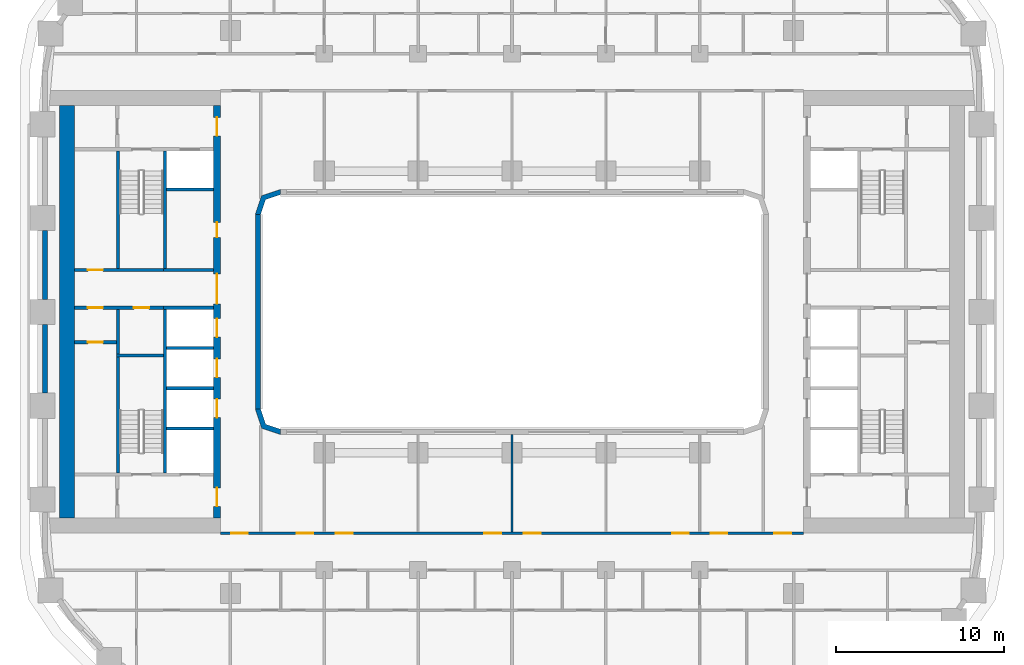
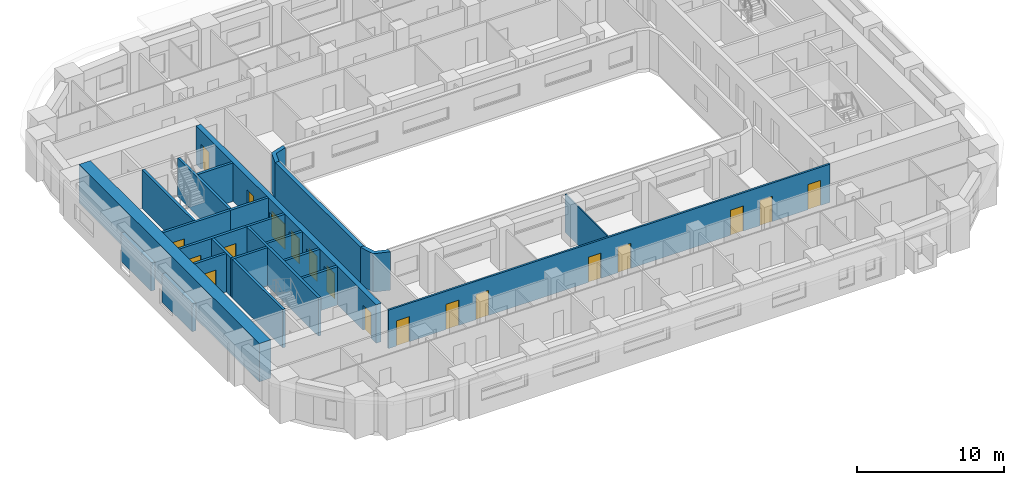
# One storey, part 4 of 21: 24 walls, 19 doors, 19 openings.
"""IFC4 building model written with IfcOpenShell, lengths in metres."""

from ifc_helpers import new_model, si_unit, direction, frame, frame_2d, origin, place, context, subcontext, project, spatial, polyline, rectangle, outline, extrude, material, layer, layer_set, type_object, element, fill, save


model = new_model("IFC4")

# Units and contexts
model_context = context("Model", 3, precision=1e-05, world=origin(), true_north=direction((0.0, 1.0)))
body_context = subcontext(model_context, "Body", "Model", "MODEL_VIEW")
ifc_project = project(units=[si_unit("LENGTHUNIT", "METRE"), si_unit("AREAUNIT", "SQUARE_METRE"), si_unit("VOLUMEUNIT", "CUBIC_METRE"), si_unit("PLANEANGLEUNIT", "RADIAN"), si_unit("MASSUNIT", "GRAM", prefix="KILO")], contexts=[model_context])

# Site, building, storey
site_placement = place(None, origin())
site = spatial("IfcSite", under=ifc_project, at=site_placement, CompositionType="ELEMENT")
building_placement = place(site_placement, origin())
building = spatial("IfcBuilding", under=site, at=building_placement, Name="Kiln Ring Residences", CompositionType="ELEMENT")
storey_placement = place(building_placement, frame((0.0, 0.0, 34.0)))
storey = spatial("IfcBuildingStorey", under=building, at=storey_placement, Name="L07", CompositionType="ELEMENT", Elevation=34.0)

# Wall
ifc_material_1 = material(Name="Gypsum board on steel studs", Category="steel")
ifc_layer_1 = layer(ifc_material_1, 0.199951171875)
ifc_layer_set_1 = layer_set([ifc_layer_1], Name="CORE-PARTITION-200")
wall_type_1 = type_object("IfcWallType", Name="CORE-PARTITION-200", PredefinedType="PARTITIONING", material=ifc_layer_set_1)
wall_1_placement = place(storey_placement, frame((-23.5, -2.5, 0.0), z_axis=(0.0, 0.0, 1.0), x_axis=(0.0, 1.0, 0.0)))
element("IfcWall", 1, at=wall_1_placement, inside=storey, type_object=wall_type_1, Name="Core partition west L07 1", PredefinedType="PARTITIONING", context=body_context, shape_type="SweptSolid", body=[
    extrude(rectangle(XDim=2.64990234375, YDim=0.199951171875, at=frame_2d((1.324951171875, 0.0))), origin(), (0.0, 0.0, 1.0), 3.199951171875),
])

# Wall, openings, doors
wall_2_placement = place(storey_placement, frame((-20.800048828125, 0.25, 0.0), z_axis=(0.0, 0.0, 1.0), x_axis=(-1.0, 0.0, 0.0)))
wall_2 = element("IfcWall", 2, at=wall_2_placement, inside=storey, type_object=wall_type_1, Name="Core partition west L07 2", PredefinedType="PARTITIONING", context=body_context, shape_type="SweptSolid", body=[
    extrude(rectangle(XDim=5.300048828125, YDim=0.199951171875, at=frame_2d((2.64990234375, 0.0))), origin(), (0.0, 0.0, 1.0), 3.199951171875),
])
opening_1_placement = place(wall_2_placement, frame((0.85009765625, 0.0, 0.0)))
opening_1 = element("IfcOpeningElement", 3, at=opening_1_placement, cuts=wall_2, Name="Opening L07-CW14", PredefinedType="OPENING", context=body_context, shape_type="SweptSolid", body=[
    extrude(rectangle(XDim=0.89990234375, YDim=2.10009765625, at=frame_2d((0.449951171875, 1.050048828125))), frame((0.0, 0.10986328125, 0.0), z_axis=(0.0, -1.0, 0.0), x_axis=(1.0, 0.0, 0.0)), (0.0, 0.0, 1.0), 0.219970703125),
])
opening_2_placement = place(wall_2_placement, frame((3.60009765625, 0.0, 0.0)))
opening_2 = element("IfcOpeningElement", 4, at=opening_2_placement, cuts=wall_2, Name="Opening L07-CW16", PredefinedType="OPENING", context=body_context, shape_type="SweptSolid", body=[
    extrude(rectangle(XDim=0.89990234375, YDim=2.10009765625, at=frame_2d((0.449951171875, 1.050048828125))), frame((0.0, 0.10986328125, 0.0), z_axis=(0.0, -1.0, 0.0), x_axis=(1.0, 0.0, 0.0)), (0.0, 0.0, 1.0), 0.219970703125),
])
ifc_material_2 = material(Name="Steel door leaf", Category="steel")
door_type_1 = type_object("IfcDoorType", Name="CORE-DOOR-ROOM", OperationType="SINGLE_SWING_LEFT", PredefinedType="DOOR", material=ifc_material_2)
door_1_placement = place(opening_1_placement, origin())
door_1 = element("IfcDoor", 5, at=door_1_placement, inside=storey, type_object=door_type_1, Name="Linen store L07-CW14", OperationType="SINGLE_SWING_RIGHT", OverallHeight=2.10009765625, OverallWidth=0.89990234375, PredefinedType="DOOR", context=body_context, shape_type="SweptSolid", body=[
    extrude(rectangle(XDim=0.89990234375, YDim=2.10009765625, at=frame_2d((0.449951171875, 1.050048828125))), frame((0.0, 0.02490234375, 0.0), z_axis=(0.0, -1.0, 0.0), x_axis=(1.0, 0.0, 0.0)), (0.0, 0.0, 1.0), 0.050048828125),
])
fill(opening_1, door_1)
door_2_placement = place(opening_2_placement, origin())
door_2 = element("IfcDoor", 6, at=door_2_placement, inside=storey, type_object=door_type_1, Name="Pump and valve room L07-CW16", OperationType="SINGLE_SWING_RIGHT", OverallHeight=2.10009765625, OverallWidth=0.89990234375, PredefinedType="DOOR", context=body_context, shape_type="SweptSolid", body=[
    extrude(rectangle(XDim=0.89990234375, YDim=2.10009765625, at=frame_2d((0.449951171875, 1.050048828125))), frame((0.0, 0.02490234375, 0.0), z_axis=(0.0, -1.0, 0.0), x_axis=(1.0, 0.0, 0.0)), (0.0, 0.0, 1.0), 0.050048828125),
])
fill(opening_2, door_2)

# Wall, opening, door
wall_3_placement = place(storey_placement, frame((-23.60009765625, -1.800048828125, 0.0), z_axis=(0.0, 0.0, 1.0), x_axis=(-1.0, 0.0, 0.0)))
wall_3 = element("IfcWall", 7, at=wall_3_placement, inside=storey, type_object=wall_type_1, Name="Core partition west L07 5", PredefinedType="PARTITIONING", context=body_context, shape_type="SweptSolid", body=[
    extrude(rectangle(XDim=2.5, YDim=0.199951171875, at=frame_2d((1.25, 0.0))), origin(), (0.0, 0.0, 1.0), 3.199951171875),
])
opening_3_placement = place(wall_3_placement, frame((0.800048828125, 0.0, 0.0)))
opening_3 = element("IfcOpeningElement", 8, at=opening_3_placement, cuts=wall_3, Name="Opening L07-CW15", PredefinedType="OPENING", context=body_context, shape_type="SweptSolid", body=[
    extrude(rectangle(XDim=0.89990234375, YDim=2.10009765625, at=frame_2d((0.449951171875, 1.050048828125))), frame((0.0, 0.10986328125, 0.0), z_axis=(0.0, -1.0, 0.0), x_axis=(1.0, 0.0, 0.0)), (0.0, 0.0, 1.0), 0.219970703125),
])
door_3_placement = place(opening_3_placement, origin())
door_3 = element("IfcDoor", 9, at=door_3_placement, inside=storey, type_object=door_type_1, Name="Pump and valve room L07-CW15", OperationType="SINGLE_SWING_RIGHT", OverallHeight=2.10009765625, OverallWidth=0.89990234375, PredefinedType="DOOR", context=body_context, shape_type="SweptSolid", body=[
    extrude(rectangle(XDim=0.89990234375, YDim=2.10009765625, at=frame_2d((0.449951171875, 1.050048828125))), frame((0.0, 0.02490234375, 0.0), z_axis=(0.0, -1.0, 0.0), x_axis=(1.0, 0.0, 0.0)), (0.0, 0.0, 1.0), 0.050048828125),
])
fill(opening_3, door_3)

# Walls
ifc_material_3 = material(Name="Gypsum shaft wall system")
ifc_layer_2 = layer(ifc_material_3, 0.199951171875)
ifc_layer_set_2 = layer_set([ifc_layer_2], Name="CORE-SHAFT-WALL-200")
wall_type_2 = type_object("IfcWallType", Name="CORE-SHAFT-WALL-200", PredefinedType="PARTITIONING", material=ifc_layer_set_2)
for number, where, z_axis, x_axis, name in (
    (10, (-17.800048828125, -6.949951171875, 0.0), (0.0, 0.0, 1.0), (-1.0, 0.0, 0.0), "Core partition west L07 6"),
    (11, (-17.800048828125, -4.550048828125, 0.0), (0.0, 0.0, 1.0), (-1.0, 0.0, 0.0), "Core partition west L07 7"),
    (12, (-17.800048828125, -2.14990234375, 0.0), (0.0, 0.0, 1.0), (-1.0, 0.0, 0.0), "Core partition west L07 8"),
):
    element("IfcWall", number, at=place(storey_placement, frame(where, z_axis=z_axis, x_axis=x_axis)), inside=storey, type_object=wall_type_2, Name=name, PredefinedType="PARTITIONING", context=body_context, shape_type="SweptSolid", body=[
        extrude(rectangle(XDim=2.800048828125, YDim=0.199951171875, at=frame_2d((1.39990234375, 0.0))), origin(), (0.0, 0.0, 1.0), 3.199951171875),
    ])
for number, where, z_axis, x_axis, name in (
    (13, (-17.800048828125, 0.25, 0.0), (0.0, 0.0, 1.0), (-1.0, 0.0, 0.0), "Core partition west L07 9"),
    (14, (-17.800048828125, 2.5, 0.0), (0.0, 0.0, 1.0), (-1.0, 0.0, 0.0), "Core partition west L07 10"),
):
    element("IfcWall", number, at=place(storey_placement, frame(where, z_axis=z_axis, x_axis=x_axis)), inside=storey, type_object=wall_type_2, Name=name, PredefinedType="PARTITIONING", context=body_context, shape_type="SweptSolid", body=[
        extrude(rectangle(XDim=3.0, YDim=0.199951171875, at=frame_2d((1.5, 0.0))), origin(), (0.0, 0.0, 1.0), 3.199951171875),
    ])
wall_4_placement = place(storey_placement, frame((-17.800048828125, 7.300048828125, 0.0), z_axis=(0.0, 0.0, 1.0), x_axis=(-1.0, 0.0, 0.0)))
element("IfcWall", 15, at=wall_4_placement, inside=storey, type_object=wall_type_2, Name="Core partition west L07 11", PredefinedType="PARTITIONING", context=body_context, shape_type="SweptSolid", body=[
    extrude(rectangle(XDim=2.800048828125, YDim=0.199951171875, at=frame_2d((1.39990234375, 0.0))), origin(), (0.0, 0.0, 1.0), 3.199951171875),
])
ifc_material_4 = material(Name="Concrete C40/50", Category="concrete")
ifc_layer_3 = layer(ifc_material_4, 0.199951171875)
ifc_layer_set_3 = layer_set([ifc_layer_3], Name="CORE-WALL-RC200")
wall_type_3 = type_object("IfcWallType", Name="CORE-WALL-RC200", PredefinedType="SHEAR", material=ifc_layer_set_3)
wall_5_placement = place(storey_placement, frame((-20.699951171875, 2.60009765625, 0.0), z_axis=(0.0, 0.0, 1.0), x_axis=(0.0, 1.0, 0.0)))
element("IfcWall", 16, at=wall_5_placement, inside=storey, type_object=wall_type_3, Name="Core wall west L07 1", PredefinedType="SHEAR", context=body_context, shape_type="SweptSolid", body=[
    extrude(rectangle(XDim=7.0, YDim=0.199951171875, at=frame_2d((3.5, 0.0))), origin(), (0.0, 0.0, 1.0), 3.199951171875),
])
wall_6_placement = place(storey_placement, frame((-20.699951171875, -9.60009765625, 0.0), z_axis=(0.0, 0.0, 1.0), x_axis=(0.0, 1.0, 0.0)))
element("IfcWall", 17, at=wall_6_placement, inside=storey, type_object=wall_type_3, Name="Core wall west L07 2", PredefinedType="SHEAR", context=body_context, shape_type="SweptSolid", body=[
    extrude(rectangle(XDim=9.75, YDim=0.199951171875, at=frame_2d((4.875, 0.0))), origin(), (0.0, 0.0, 1.0), 3.199951171875),
])

# Wall, opening, door
wall_7_placement = place(storey_placement, frame((-20.800048828125, 2.5, 0.0), z_axis=(0.0, 0.0, 1.0), x_axis=(-1.0, 0.0, 0.0)))
wall_7 = element("IfcWall", 18, at=wall_7_placement, inside=storey, type_object=wall_type_3, Name="Core wall west L07 3", PredefinedType="SHEAR", context=body_context, shape_type="SweptSolid", body=[
    extrude(rectangle(XDim=5.300048828125, YDim=0.199951171875, at=frame_2d((2.64990234375, 0.0))), origin(), (0.0, 0.0, 1.0), 3.199951171875),
])
opening_4_placement = place(wall_7_placement, frame((3.60009765625, 0.0, 0.0)))
opening_4 = element("IfcOpeningElement", 19, at=opening_4_placement, cuts=wall_7, Name="Opening L07-CW17", PredefinedType="OPENING", context=body_context, shape_type="SweptSolid", body=[
    extrude(rectangle(XDim=0.89990234375, YDim=2.10009765625, at=frame_2d((0.449951171875, 1.050048828125))), frame((0.0, 0.10986328125, 0.0), z_axis=(0.0, -1.0, 0.0), x_axis=(1.0, 0.0, 0.0)), (0.0, 0.0, 1.0), 0.219970703125),
])
door_4_placement = place(opening_4_placement, origin())
door_4 = element("IfcDoor", 20, at=door_4_placement, inside=storey, type_object=door_type_1, Name="Electrical plant room L07-CW17", OperationType="SINGLE_SWING_RIGHT", OverallHeight=2.10009765625, OverallWidth=0.89990234375, PredefinedType="DOOR", context=body_context, shape_type="SweptSolid", body=[
    extrude(rectangle(XDim=0.89990234375, YDim=2.10009765625, at=frame_2d((0.449951171875, 1.050048828125))), frame((0.0, 0.02490234375, 0.0), z_axis=(0.0, -1.0, 0.0), x_axis=(1.0, 0.0, 0.0)), (0.0, 0.0, 1.0), 0.050048828125),
])
fill(opening_4, door_4)

# Walls
wall_8_placement = place(storey_placement, frame((-23.5, 2.60009765625, 0.0), z_axis=(0.0, 0.0, 1.0), x_axis=(0.0, 1.0, 0.0)))
element("IfcWall", 21, at=wall_8_placement, inside=storey, type_object=wall_type_3, Name="Core wall west L07 10", PredefinedType="SHEAR", context=body_context, shape_type="SweptSolid", body=[
    extrude(rectangle(XDim=7.0, YDim=0.199951171875, at=frame_2d((3.5, 0.0))), origin(), (0.0, 0.0, 1.0), 3.199951171875),
])
wall_9_placement = place(storey_placement, frame((-23.5, -9.60009765625, 0.0), z_axis=(0.0, 0.0, 1.0), x_axis=(0.0, 1.0, 0.0)))
element("IfcWall", 22, at=wall_9_placement, inside=storey, type_object=wall_type_3, Name="Core wall west L07 11", PredefinedType="SHEAR", context=body_context, shape_type="SweptSolid", body=[
    extrude(rectangle(XDim=6.900146484375, YDim=0.199951171875, at=frame_2d((3.4501953125, 0.0))), origin(), (0.0, 0.0, 1.0), 3.199951171875),
])
wall_10_placement = place(storey_placement, frame((-20.800048828125, -2.60009765625, 0.0), z_axis=(0.0, 0.0, 1.0), x_axis=(-1.0, 0.0, 0.0)))
element("IfcWall", 23, at=wall_10_placement, inside=storey, type_object=wall_type_3, Name="Core wall west L07 12", PredefinedType="SHEAR", context=body_context, shape_type="SweptSolid", body=[
    extrude(rectangle(XDim=2.800048828125, YDim=0.199951171875, at=frame_2d((1.39990234375, 0.0))), origin(), (0.0, 0.0, 1.0), 3.199951171875),
])

# Wall, openings, doors
ifc_material_5 = material(Name="Concrete C60/75", Category="concrete")
ifc_layer_4 = layer(ifc_material_5, 0.39990234375)
ifc_layer_set_4 = layer_set([ifc_layer_4], Name="CORE-WALL-RC400")
wall_type_4 = type_object("IfcWallType", Name="CORE-WALL-RC400", PredefinedType="SHEAR", material=ifc_layer_set_4)
wall_11_placement = place(storey_placement, frame((-17.60009765625, -12.300048828125, 0.0), z_axis=(0.0, 0.0, 1.0), x_axis=(0.0, 1.0, 0.0)))
wall_11 = element("IfcWall", 24, at=wall_11_placement, inside=storey, type_object=wall_type_4, Name="Core wall west L07 6", PredefinedType="SHEAR", context=body_context, shape_type="SweptSolid", body=[
    extrude(rectangle(XDim=24.60009765625, YDim=0.39990234375, at=frame_2d((12.300048828125, 0.0))), origin(), (0.0, 0.0, 1.0), 3.199951171875),
])
opening_5_placement = place(wall_11_placement, frame((6.0, 0.0, 0.0)))
opening_5 = element("IfcOpeningElement", 25, at=opening_5_placement, cuts=wall_11, Name="Opening L07-CW02", PredefinedType="OPENING", context=body_context, shape_type="SweptSolid", body=[
    extrude(rectangle(XDim=1.10009765625, YDim=2.10009765625, at=frame_2d((0.550048828125, 1.050048828125))), frame((0.0, 0.2099609375, 0.0), z_axis=(0.0, -1.0, 0.0), x_axis=(1.0, 0.0, 0.0)), (0.0, 0.0, 1.0), 0.419921875),
])
opening_6_placement = place(wall_11_placement, frame((8.39990234375, 0.0, 0.0)))
opening_6 = element("IfcOpeningElement", 26, at=opening_6_placement, cuts=wall_11, Name="Opening L07-CW03", PredefinedType="OPENING", context=body_context, shape_type="SweptSolid", body=[
    extrude(rectangle(XDim=1.10009765625, YDim=2.10009765625, at=frame_2d((0.550048828125, 1.050048828125))), frame((0.0, 0.2099609375, 0.0), z_axis=(0.0, -1.0, 0.0), x_axis=(1.0, 0.0, 0.0)), (0.0, 0.0, 1.0), 0.419921875),
])
opening_7_placement = place(wall_11_placement, frame((10.800048828125, 0.0, 0.0)))
opening_7 = element("IfcOpeningElement", 27, at=opening_7_placement, cuts=wall_11, Name="Opening L07-CW04", PredefinedType="OPENING", context=body_context, shape_type="SweptSolid", body=[
    extrude(rectangle(XDim=1.10009765625, YDim=2.10009765625, at=frame_2d((0.550048828125, 1.050048828125))), frame((0.0, 0.2099609375, 0.0), z_axis=(0.0, -1.0, 0.0), x_axis=(1.0, 0.0, 0.0)), (0.0, 0.0, 1.0), 0.419921875),
])
opening_8_placement = place(wall_11_placement, frame((16.75, 0.0, 0.0)))
opening_8 = element("IfcOpeningElement", 28, at=opening_8_placement, cuts=wall_11, Name="Opening L07-CW05", PredefinedType="OPENING", context=body_context, shape_type="SweptSolid", body=[
    extrude(rectangle(XDim=0.89990234375, YDim=2.10009765625, at=frame_2d((0.449951171875, 1.050048828125))), frame((0.0, 0.2099609375, 0.0), z_axis=(0.0, -1.0, 0.0), x_axis=(1.0, 0.0, 0.0)), (0.0, 0.0, 1.0), 0.419921875),
])
opening_9_placement = place(wall_11_placement, frame((22.800048828125, 0.0, 0.0)))
opening_9 = element("IfcOpeningElement", 29, at=opening_9_placement, cuts=wall_11, Name="Opening L07-CW07", PredefinedType="OPENING", context=body_context, shape_type="SweptSolid", body=[
    extrude(rectangle(XDim=1.10009765625, YDim=2.10009765625, at=frame_2d((0.550048828125, 1.050048828125))), frame((0.0, 0.2099609375, 0.0), z_axis=(0.0, -1.0, 0.0), x_axis=(1.0, 0.0, 0.0)), (0.0, 0.0, 1.0), 0.419921875),
])
opening_10_placement = place(wall_11_placement, frame((0.699951171875, 0.0, 0.0)))
opening_10 = element("IfcOpeningElement", 30, at=opening_10_placement, cuts=wall_11, Name="Opening L07-CW08", PredefinedType="OPENING", context=body_context, shape_type="SweptSolid", body=[
    extrude(rectangle(XDim=1.10009765625, YDim=2.10009765625, at=frame_2d((0.550048828125, 1.050048828125))), frame((0.0, 0.2099609375, 0.0), z_axis=(0.0, -1.0, 0.0), x_axis=(1.0, 0.0, 0.0)), (0.0, 0.0, 1.0), 0.419921875),
])
opening_11_placement = place(wall_11_placement, frame((12.77490234375, 0.0, 0.0)))
opening_11 = element("IfcOpeningElement", 31, at=opening_11_placement, cuts=wall_11, Name="Opening L07-CW13", PredefinedType="OPENING", context=body_context, shape_type="SweptSolid", body=[
    extrude(rectangle(XDim=1.800048828125, YDim=2.10009765625, at=frame_2d((0.89990234375, 1.050048828125))), frame((0.0, 0.2099609375, 0.0), z_axis=(0.0, -1.0, 0.0), x_axis=(1.0, 0.0, 0.0)), (0.0, 0.0, 1.0), 0.419921875),
])
ifc_material_6 = material(Name="Steel door leaf", Category="steel")
door_type_2 = type_object("IfcDoorType", Name="CORE-DOOR-LD", OperationType="DOUBLE_DOOR_SLIDING", PredefinedType="DOOR", material=ifc_material_6)
door_5_placement = place(opening_5_placement, origin())
door_5 = element("IfcDoor", 32, at=door_5_placement, inside=storey, type_object=door_type_2, Name="LD W-L1 L07-CW02", OperationType="DOUBLE_DOOR_SLIDING", OverallHeight=2.10009765625, OverallWidth=1.10009765625, PredefinedType="DOOR", context=body_context, shape_type="SweptSolid", body=[
    extrude(rectangle(XDim=1.10009765625, YDim=2.10009765625, at=frame_2d((0.550048828125, 1.050048828125))), frame((0.0, 0.02490234375, 0.0), z_axis=(0.0, -1.0, 0.0), x_axis=(1.0, 0.0, 0.0)), (0.0, 0.0, 1.0), 0.050048828125),
])
fill(opening_5, door_5)
door_6_placement = place(opening_6_placement, origin())
door_6 = element("IfcDoor", 33, at=door_6_placement, inside=storey, type_object=door_type_2, Name="LD W-L2 L07-CW03", OperationType="DOUBLE_DOOR_SLIDING", OverallHeight=2.10009765625, OverallWidth=1.10009765625, PredefinedType="DOOR", context=body_context, shape_type="SweptSolid", body=[
    extrude(rectangle(XDim=1.10009765625, YDim=2.10009765625, at=frame_2d((0.550048828125, 1.050048828125))), frame((0.0, 0.02490234375, 0.0), z_axis=(0.0, -1.0, 0.0), x_axis=(1.0, 0.0, 0.0)), (0.0, 0.0, 1.0), 0.050048828125),
])
fill(opening_6, door_6)
door_7_placement = place(opening_7_placement, origin())
door_7 = element("IfcDoor", 34, at=door_7_placement, inside=storey, type_object=door_type_2, Name="LD W-L3 L07-CW04", OperationType="DOUBLE_DOOR_SLIDING", OverallHeight=2.10009765625, OverallWidth=1.10009765625, PredefinedType="DOOR", context=body_context, shape_type="SweptSolid", body=[
    extrude(rectangle(XDim=1.10009765625, YDim=2.10009765625, at=frame_2d((0.550048828125, 1.050048828125))), frame((0.0, 0.02490234375, 0.0), z_axis=(0.0, -1.0, 0.0), x_axis=(1.0, 0.0, 0.0)), (0.0, 0.0, 1.0), 0.050048828125),
])
fill(opening_7, door_7)
ifc_material_7 = material(Name="Steel door leaf", Category="steel")
door_type_3 = type_object("IfcDoorType", Name="CORE-DOOR-LOBBY", OperationType="SINGLE_SWING_LEFT", PredefinedType="DOOR", material=ifc_material_7)
door_8_placement = place(opening_9_placement, origin())
door_8 = element("IfcDoor", 35, at=door_8_placement, inside=storey, type_object=door_type_3, Name="FFL L07-CW07", OperationType="SINGLE_SWING_RIGHT", OverallHeight=2.10009765625, OverallWidth=1.10009765625, PredefinedType="DOOR", context=body_context, shape_type="SweptSolid", body=[
    extrude(rectangle(XDim=1.10009765625, YDim=2.10009765625, at=frame_2d((0.550048828125, 1.050048828125))), frame((0.0, 0.02490234375, 0.0), z_axis=(0.0, -1.0, 0.0), x_axis=(1.0, 0.0, 0.0)), (0.0, 0.0, 1.0), 0.050048828125),
])
fill(opening_9, door_8)
door_9_placement = place(opening_10_placement, origin())
door_9 = element("IfcDoor", 36, at=door_9_placement, inside=storey, type_object=door_type_3, Name="SVL L07-CW08", OperationType="SINGLE_SWING_LEFT", OverallHeight=2.10009765625, OverallWidth=1.10009765625, PredefinedType="DOOR", context=body_context, shape_type="SweptSolid", body=[
    extrude(rectangle(XDim=1.10009765625, YDim=2.10009765625, at=frame_2d((0.550048828125, 1.050048828125))), frame((0.0, 0.02490234375, 0.0), z_axis=(0.0, -1.0, 0.0), x_axis=(1.0, 0.0, 0.0)), (0.0, 0.0, 1.0), 0.050048828125),
])
fill(opening_10, door_9)
ifc_material_8 = material(Name="Steel door leaf", Category="steel")
door_type_4 = type_object("IfcDoorType", Name="CORE-DOOR-PASS", OperationType="DOUBLE_DOOR_SINGLE_SWING", PredefinedType="DOOR", material=ifc_material_8)
door_10_placement = place(opening_11_placement, origin())
door_10 = element("IfcDoor", 37, at=door_10_placement, inside=storey, type_object=door_type_4, Name="Core passage L07-CW13", OperationType="DOUBLE_DOOR_SINGLE_SWING", OverallHeight=2.10009765625, OverallWidth=1.800048828125, PredefinedType="DOOR", context=body_context, shape_type="SweptSolid", body=[
    extrude(rectangle(XDim=1.800048828125, YDim=2.10009765625, at=frame_2d((0.89990234375, 1.050048828125))), frame((0.0, 0.02490234375, 0.0), z_axis=(0.0, -1.0, 0.0), x_axis=(1.0, 0.0, 0.0)), (0.0, 0.0, 1.0), 0.050048828125),
])
fill(opening_11, door_10)
door_11_placement = place(opening_8_placement, origin())
door_11 = element("IfcDoor", 38, at=door_11_placement, inside=storey, type_object=door_type_1, Name="Goods store L07-CW05", OperationType="SINGLE_SWING_LEFT", OverallHeight=2.10009765625, OverallWidth=0.89990234375, PredefinedType="DOOR", context=body_context, shape_type="SweptSolid", body=[
    extrude(rectangle(XDim=0.89990234375, YDim=2.10009765625, at=frame_2d((0.449951171875, 1.050048828125))), frame((0.0, 0.02490234375, 0.0), z_axis=(0.0, -1.0, 0.0), x_axis=(1.0, 0.0, 0.0)), (0.0, 0.0, 1.0), 0.050048828125),
])
fill(opening_8, door_11)

# Walls
ifc_material_9 = material(Name="Concrete C60/75", Category="concrete")
ifc_layer_5 = layer(ifc_material_9, 0.89990234375)
ifc_layer_set_5 = layer_set([ifc_layer_5], Name="CORE-WALL-RC900")
wall_type_5 = type_object("IfcWallType", Name="CORE-WALL-RC900", PredefinedType="SHEAR", material=ifc_layer_set_5)
wall_12_placement = place(storey_placement, frame((-26.550048828125, -12.300048828125, 0.0), z_axis=(0.0, 0.0, 1.0), x_axis=(0.0, 1.0, 0.0)))
element("IfcWall", 39, at=wall_12_placement, inside=storey, type_object=wall_type_5, Name="Core wall west L07 7", PredefinedType="SHEAR", context=body_context, shape_type="SweptSolid", body=[
    extrude(rectangle(XDim=24.60009765625, YDim=0.89990234375, at=frame_2d((12.300048828125, 0.0))), origin(), (0.0, 0.0, 1.0), 3.199951171875),
])
ifc_material_10 = material(Name="Brick masonry, dark clay brick", Category="masonry")
ifc_layer_6 = layer(ifc_material_10, 0.300048828125)
ifc_layer_set_6 = layer_set([ifc_layer_6], Name="EW-300 BRICK WALL")
wall_type_6 = type_object("IfcWallType", Name="EW-300 BRICK WALL", PredefinedType="SOLIDWALL", material=ifc_layer_set_6)
for number, where, z_axis, x_axis, name in (
    (40, (-27.85009765625, 4.85009765625, 0.0), (0.0, 0.0, 1.0), (0.0, -1.0, 0.0), "Facade wall L07 43"),
    (41, (-27.85009765625, -0.75, 0.0), (0.0, 0.0, 1.0), (0.0, -1.0, 0.0), "Facade wall L07 44"),
):
    element("IfcWall", number, at=place(storey_placement, frame(where, z_axis=z_axis, x_axis=x_axis)), inside=storey, type_object=wall_type_6, Name=name, PredefinedType="SOLIDWALL", context=body_context, shape_type="SweptSolid", body=[
        extrude(rectangle(XDim=4.10009765625, YDim=0.300048828125, at=frame_2d((2.050048828125, 0.0))), origin(), (0.0, 0.0, 1.0), 2.35009765625),
    ])
wall_13_placement = place(storey_placement, frame((-15.14990234375, -5.800048828125, 0.0), z_axis=(0.0, 0.0, 1.0), x_axis=(0.0, 1.0, 0.0)))
element("IfcWall", 42, at=wall_13_placement, inside=storey, type_object=wall_type_6, Name="Facade wall L07 49", PredefinedType="SOLIDWALL", context=body_context, shape_type="SweptSolid", body=[
    extrude(rectangle(XDim=11.60009765625, YDim=0.300048828125, at=frame_2d((5.800048828125, 0.0))), origin(), (0.0, 0.0, 1.0), 3.199951171875),
])
placement = place(storey_placement, origin())
element("IfcWall", 43, at=placement, inside=storey, type_object=wall_type_6, Name="Corner wall L07 1", PredefinedType="SOLIDWALL", context=body_context, shape_type="SweptSolid", body=[
    extrude(outline(polyline([(-13.8486328125, 7.300048828125), (-14.937255859375, 6.937255859375), (-15.300048828125, 5.8486328125), (-15.300048828125, 5.800048828125), (-15.0, 5.800048828125), (-14.699951171875, 6.699951171875), (-13.800048828125, 7.0), (-13.800048828125, 7.300048828125), (-13.8486328125, 7.300048828125)])), origin(), (0.0, 0.0, 1.0), 3.199951171875),
])
element("IfcWall", 44, at=placement, inside=storey, type_object=wall_type_6, Name="Corner wall L07 4", PredefinedType="SOLIDWALL", context=body_context, shape_type="SweptSolid", body=[
    extrude(outline(polyline([(-14.937255859375, -6.937255859375), (-13.8486328125, -7.300048828125), (-13.800048828125, -7.300048828125), (-13.800048828125, -7.0), (-14.699951171875, -6.699951171875), (-15.0, -5.800048828125), (-15.300048828125, -5.800048828125), (-15.300048828125, -5.8486328125), (-14.937255859375, -6.937255859375)])), origin(), (0.0, 0.0, 1.0), 3.199951171875),
])
ifc_material_11 = material(Name="Gypsum board on steel studs", Category="steel")
ifc_layer_7 = layer(ifc_material_11, 0.10009765625)
ifc_layer_set_7 = layer_set([ifc_layer_7], Name="PARTITION-100")
wall_type_7 = type_object("IfcWallType", Name="PARTITION-100", PredefinedType="PARTITIONING", material=ifc_layer_set_7)
wall_16_placement = place(storey_placement, frame((0.0, -13.125, 0.0), z_axis=(0.0, 0.0, 1.0), x_axis=(0.0, 1.0, 0.0)))
element("IfcWall", 45, at=wall_16_placement, inside=storey, type_object=wall_type_7, Name="Partition 034", PredefinedType="PARTITIONING", context=body_context, shape_type="SweptSolid", body=[
    extrude(rectangle(XDim=5.804931640625, YDim=0.10009765625, at=frame_2d((2.90234375, 0.0))), origin(), (0.0, 0.0, 1.0), 3.199951171875),
])

# Wall, openings, doors
ifc_material_12 = material(Name="Brick masonry partition", Category="masonry")
ifc_layer_8 = layer(ifc_material_12, 0.14990234375)
ifc_layer_set_8 = layer_set([ifc_layer_8], Name="PARTITION-150-ei60")
wall_type_8 = type_object("IfcWallType", Name="PARTITION-150-ei60", PredefinedType="PARTITIONING", material=ifc_layer_set_8)
wall_17_placement = place(storey_placement, frame((-17.39990234375, -13.199951171875, 0.0), z_axis=(0.0, 0.0, 1.0), x_axis=(1.0, 0.0, 0.0)))
wall_17 = element("IfcWall", 46, at=wall_17_placement, inside=storey, type_object=wall_type_8, Name="Partition 002", PredefinedType="PARTITIONING", context=body_context, shape_type="SweptSolid", body=[
    extrude(rectangle(XDim=34.7998046875, YDim=0.14990234375, at=frame_2d((17.39990234375, 0.0))), origin(), (0.0, 0.0, 1.0), 3.199951171875),
])
opening_12_placement = place(wall_17_placement, frame((0.64990234375, 0.0, 0.0)))
opening_12 = element("IfcOpeningElement", 47, at=opening_12_placement, cuts=wall_17, Name="Opening L07-D003", PredefinedType="OPENING", context=body_context, shape_type="SweptSolid", body=[
    extrude(rectangle(XDim=1.0, YDim=2.10009765625, at=frame_2d((0.5, 1.050048828125))), frame((0.0, 0.0849609375, 0.0), z_axis=(0.0, -1.0, 0.0), x_axis=(1.0, 0.0, 0.0)), (0.0, 0.0, 1.0), 0.169921875),
])
opening_13_placement = place(wall_17_placement, frame((33.050048828125, 0.0, 0.0)))
opening_13 = element("IfcOpeningElement", 48, at=opening_13_placement, cuts=wall_17, Name="Opening L07-D004", PredefinedType="OPENING", context=body_context, shape_type="SweptSolid", body=[
    extrude(rectangle(XDim=1.0, YDim=2.10009765625, at=frame_2d((0.5, 1.050048828125))), frame((0.0, 0.0849609375, 0.0), z_axis=(0.0, -1.0, 0.0), x_axis=(1.0, 0.0, 0.0)), (0.0, 0.0, 1.0), 0.169921875),
])
opening_14_placement = place(wall_17_placement, frame((4.550048828125, 0.0, 0.0)))
opening_14 = element("IfcOpeningElement", 49, at=opening_14_placement, cuts=wall_17, Name="Opening L07-D037", PredefinedType="OPENING", context=body_context, shape_type="SweptSolid", body=[
    extrude(rectangle(XDim=1.0, YDim=2.10009765625, at=frame_2d((0.5, 1.050048828125))), frame((0.0, 0.0849609375, 0.0), z_axis=(0.0, -1.0, 0.0), x_axis=(1.0, 0.0, 0.0)), (0.0, 0.0, 1.0), 0.169921875),
])
opening_15_placement = place(wall_17_placement, frame((6.89990234375, 0.0, 0.0)))
opening_15 = element("IfcOpeningElement", 50, at=opening_15_placement, cuts=wall_17, Name="Opening L07-D038", PredefinedType="OPENING", context=body_context, shape_type="SweptSolid", body=[
    extrude(rectangle(XDim=1.0, YDim=2.10009765625, at=frame_2d((0.5, 1.050048828125))), frame((0.0, 0.0849609375, 0.0), z_axis=(0.0, -1.0, 0.0), x_axis=(1.0, 0.0, 0.0)), (0.0, 0.0, 1.0), 0.169921875),
])
opening_16_placement = place(wall_17_placement, frame((15.75, 0.0, 0.0)))
opening_16 = element("IfcOpeningElement", 51, at=opening_16_placement, cuts=wall_17, Name="Opening L07-D039", PredefinedType="OPENING", context=body_context, shape_type="SweptSolid", body=[
    extrude(rectangle(XDim=1.0, YDim=2.10009765625, at=frame_2d((0.5, 1.050048828125))), frame((0.0, 0.0849609375, 0.0), z_axis=(0.0, -1.0, 0.0), x_axis=(1.0, 0.0, 0.0)), (0.0, 0.0, 1.0), 0.169921875),
])
opening_17_placement = place(wall_17_placement, frame((18.10009765625, 0.0, 0.0)))
opening_17 = element("IfcOpeningElement", 52, at=opening_17_placement, cuts=wall_17, Name="Opening L07-D040", PredefinedType="OPENING", context=body_context, shape_type="SweptSolid", body=[
    extrude(rectangle(XDim=1.0, YDim=2.10009765625, at=frame_2d((0.5, 1.050048828125))), frame((0.0, 0.0849609375, 0.0), z_axis=(0.0, -1.0, 0.0), x_axis=(1.0, 0.0, 0.0)), (0.0, 0.0, 1.0), 0.169921875),
])
opening_18_placement = place(wall_17_placement, frame((26.949951171875, 0.0, 0.0)))
opening_18 = element("IfcOpeningElement", 53, at=opening_18_placement, cuts=wall_17, Name="Opening L07-D041", PredefinedType="OPENING", context=body_context, shape_type="SweptSolid", body=[
    extrude(rectangle(XDim=1.0, YDim=2.10009765625, at=frame_2d((0.5, 1.050048828125))), frame((0.0, 0.0849609375, 0.0), z_axis=(0.0, -1.0, 0.0), x_axis=(1.0, 0.0, 0.0)), (0.0, 0.0, 1.0), 0.169921875),
])
opening_19_placement = place(wall_17_placement, frame((29.25, 0.0, 0.0)))
opening_19 = element("IfcOpeningElement", 54, at=opening_19_placement, cuts=wall_17, Name="Opening L07-D042", PredefinedType="OPENING", context=body_context, shape_type="SweptSolid", body=[
    extrude(rectangle(XDim=1.0, YDim=2.10009765625, at=frame_2d((0.5, 1.050048828125))), frame((0.0, 0.0849609375, 0.0), z_axis=(0.0, -1.0, 0.0), x_axis=(1.0, 0.0, 0.0)), (0.0, 0.0, 1.0), 0.169921875),
])
ifc_material_13 = material(Name="Steel faced fire door leaf", Category="steel")
door_type_5 = type_object("IfcDoorType", Name="FLAT-DOOR-1000-FR", OperationType="SINGLE_SWING_LEFT", PredefinedType="DOOR", material=ifc_material_13)
door_12_placement = place(opening_12_placement, origin())
door_12 = element("IfcDoor", 55, at=door_12_placement, inside=storey, type_object=door_type_5, Name="Door L07-D003", OperationType="SINGLE_SWING_RIGHT", OverallHeight=2.10009765625, OverallWidth=1.0, PredefinedType="DOOR", context=body_context, shape_type="SweptSolid", body=[
    extrude(rectangle(XDim=1.0, YDim=2.10009765625, at=frame_2d((0.5, 1.050048828125))), frame((0.0, 0.02490234375, 0.0), z_axis=(0.0, -1.0, 0.0), x_axis=(1.0, 0.0, 0.0)), (0.0, 0.0, 1.0), 0.050048828125),
])
fill(opening_12, door_12)
door_13_placement = place(opening_13_placement, origin())
door_13 = element("IfcDoor", 56, at=door_13_placement, inside=storey, type_object=door_type_5, Name="Door L07-D004", OperationType="SINGLE_SWING_LEFT", OverallHeight=2.10009765625, OverallWidth=1.0, PredefinedType="DOOR", context=body_context, shape_type="SweptSolid", body=[
    extrude(rectangle(XDim=1.0, YDim=2.10009765625, at=frame_2d((0.5, 1.050048828125))), frame((0.0, 0.02490234375, 0.0), z_axis=(0.0, -1.0, 0.0), x_axis=(1.0, 0.0, 0.0)), (0.0, 0.0, 1.0), 0.050048828125),
])
fill(opening_13, door_13)
door_14_placement = place(opening_14_placement, origin())
door_14 = element("IfcDoor", 57, at=door_14_placement, inside=storey, type_object=door_type_5, Name="Door L07-D037", OperationType="SINGLE_SWING_LEFT", OverallHeight=2.10009765625, OverallWidth=1.0, PredefinedType="DOOR", context=body_context, shape_type="SweptSolid", body=[
    extrude(rectangle(XDim=1.0, YDim=2.10009765625, at=frame_2d((0.5, 1.050048828125))), frame((0.0, 0.02490234375, 0.0), z_axis=(0.0, -1.0, 0.0), x_axis=(1.0, 0.0, 0.0)), (0.0, 0.0, 1.0), 0.050048828125),
])
fill(opening_14, door_14)
door_15_placement = place(opening_15_placement, origin())
door_15 = element("IfcDoor", 58, at=door_15_placement, inside=storey, type_object=door_type_5, Name="Door L07-D038", OperationType="SINGLE_SWING_RIGHT", OverallHeight=2.10009765625, OverallWidth=1.0, PredefinedType="DOOR", context=body_context, shape_type="SweptSolid", body=[
    extrude(rectangle(XDim=1.0, YDim=2.10009765625, at=frame_2d((0.5, 1.050048828125))), frame((0.0, 0.02490234375, 0.0), z_axis=(0.0, -1.0, 0.0), x_axis=(1.0, 0.0, 0.0)), (0.0, 0.0, 1.0), 0.050048828125),
])
fill(opening_15, door_15)
door_16_placement = place(opening_16_placement, origin())
door_16 = element("IfcDoor", 59, at=door_16_placement, inside=storey, type_object=door_type_5, Name="Door L07-D039", OperationType="SINGLE_SWING_LEFT", OverallHeight=2.10009765625, OverallWidth=1.0, PredefinedType="DOOR", context=body_context, shape_type="SweptSolid", body=[
    extrude(rectangle(XDim=1.0, YDim=2.10009765625, at=frame_2d((0.5, 1.050048828125))), frame((0.0, 0.02490234375, 0.0), z_axis=(0.0, -1.0, 0.0), x_axis=(1.0, 0.0, 0.0)), (0.0, 0.0, 1.0), 0.050048828125),
])
fill(opening_16, door_16)
door_17_placement = place(opening_17_placement, origin())
door_17 = element("IfcDoor", 60, at=door_17_placement, inside=storey, type_object=door_type_5, Name="Door L07-D040", OperationType="SINGLE_SWING_RIGHT", OverallHeight=2.10009765625, OverallWidth=1.0, PredefinedType="DOOR", context=body_context, shape_type="SweptSolid", body=[
    extrude(rectangle(XDim=1.0, YDim=2.10009765625, at=frame_2d((0.5, 1.050048828125))), frame((0.0, 0.02490234375, 0.0), z_axis=(0.0, -1.0, 0.0), x_axis=(1.0, 0.0, 0.0)), (0.0, 0.0, 1.0), 0.050048828125),
])
fill(opening_17, door_17)
door_18_placement = place(opening_18_placement, origin())
door_18 = element("IfcDoor", 61, at=door_18_placement, inside=storey, type_object=door_type_5, Name="Door L07-D041", OperationType="SINGLE_SWING_LEFT", OverallHeight=2.10009765625, OverallWidth=1.0, PredefinedType="DOOR", context=body_context, shape_type="SweptSolid", body=[
    extrude(rectangle(XDim=1.0, YDim=2.10009765625, at=frame_2d((0.5, 1.050048828125))), frame((0.0, 0.02490234375, 0.0), z_axis=(0.0, -1.0, 0.0), x_axis=(1.0, 0.0, 0.0)), (0.0, 0.0, 1.0), 0.050048828125),
])
fill(opening_18, door_18)
door_19_placement = place(opening_19_placement, origin())
door_19 = element("IfcDoor", 62, at=door_19_placement, inside=storey, type_object=door_type_5, Name="Door L07-D042", OperationType="SINGLE_SWING_RIGHT", OverallHeight=2.10009765625, OverallWidth=1.0, PredefinedType="DOOR", context=body_context, shape_type="SweptSolid", body=[
    extrude(rectangle(XDim=1.0, YDim=2.10009765625, at=frame_2d((0.5, 1.050048828125))), frame((0.0, 0.02490234375, 0.0), z_axis=(0.0, -1.0, 0.0), x_axis=(1.0, 0.0, 0.0)), (0.0, 0.0, 1.0), 0.050048828125),
])
fill(opening_19, door_19)

save(model, "model.ifc")
